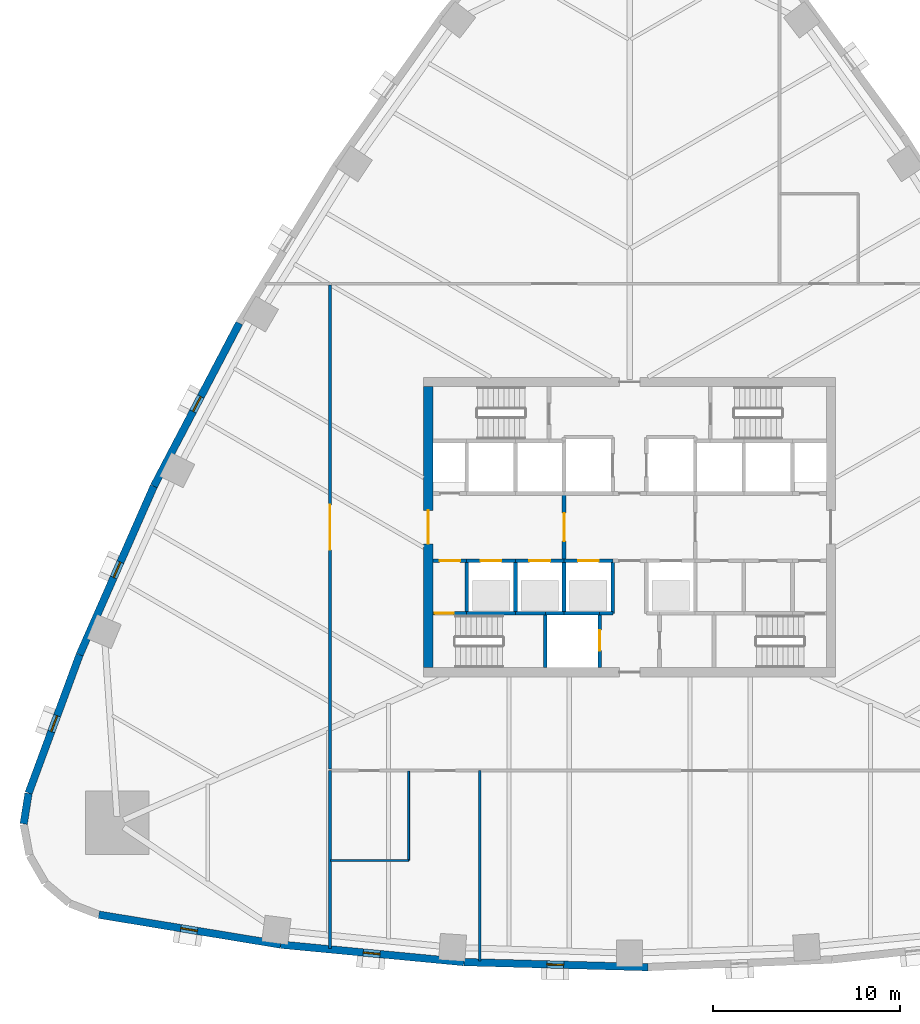
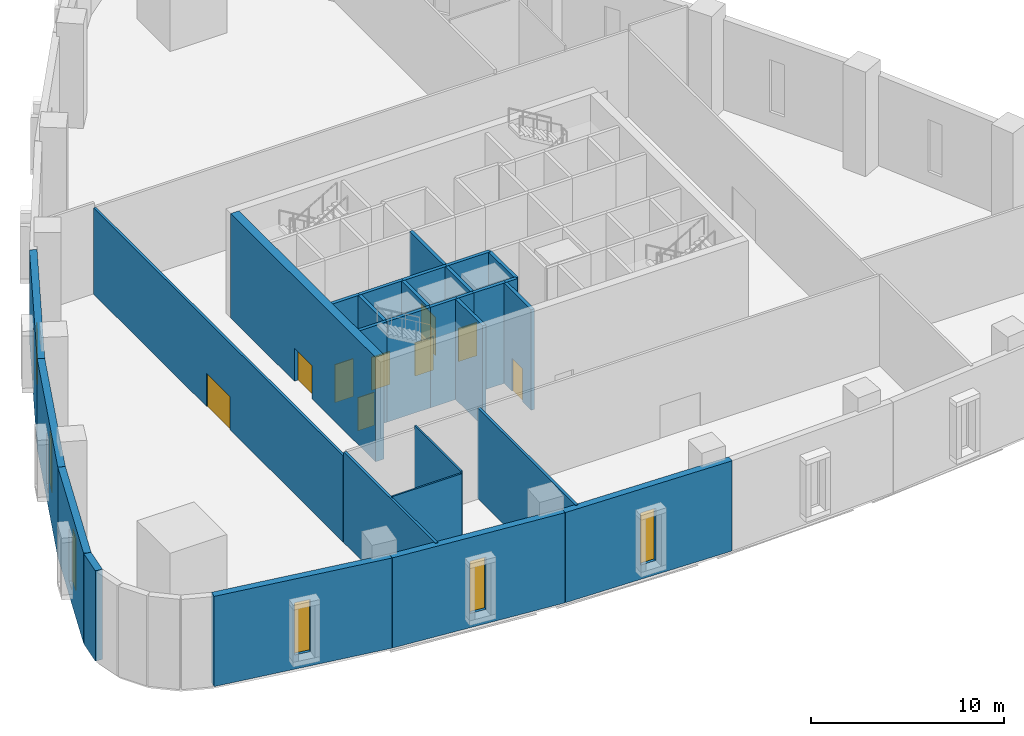
# One storey, part 3 of 11: 30 walls, 9 doors, 6 windows, 15 openings.
"""IFC4 building model written with IfcOpenShell, lengths in metres."""

from ifc_helpers import new_model, si_unit, direction, frame, frame_2d, origin, place, context, subcontext, project, spatial, rectangle, extrude, material, layer, layer_set, type_object, element, fill, save


model = new_model("IFC4")

# Units and contexts
model_context = context("Model", 3, precision=1e-05, world=origin(), true_north=direction((0.0, 1.0)))
body_context = subcontext(model_context, "Body", "Model", "MODEL_VIEW")
ifc_project = project(units=[si_unit("LENGTHUNIT", "METRE"), si_unit("AREAUNIT", "SQUARE_METRE"), si_unit("VOLUMEUNIT", "CUBIC_METRE"), si_unit("PLANEANGLEUNIT", "RADIAN"), si_unit("MASSUNIT", "GRAM", prefix="KILO")], contexts=[model_context])

# Site, building, storey
site_placement = place(None, origin())
site = spatial("IfcSite", under=ifc_project, at=site_placement, CompositionType="ELEMENT")
building_placement = place(site_placement, origin())
building = spatial("IfcBuilding", under=site, at=building_placement, Name="Sierra Prisma Convention Tower", CompositionType="ELEMENT")
storey_placement = place(building_placement, frame((0.0, 0.0, 22.199951171875)))
storey = spatial("IfcBuildingStorey", under=building, at=storey_placement, Name="L03", CompositionType="ELEMENT", Elevation=22.199951171875)

# Walls
ifc_material_1 = material(Name="Gypsum board partition", Category="gypsum")
ifc_layer_1 = layer(ifc_material_1, 0.10009765625)
ifc_layer_set_1 = layer_set([ifc_layer_1], Name="Bathroom partition 100")
wall_type_1 = type_object("IfcWallType", Name="Bathroom partition 100", PredefinedType="PARTITIONING", material=ifc_layer_set_1)
wall_1_placement = place(storey_placement, frame((-11.800048828125, -13.030029296875, 0.0), z_axis=(0.0, 0.0, 1.0), x_axis=(0.0, -1.0, 0.0)))
element("IfcWall", 1, at=wall_1_placement, inside=storey, type_object=wall_type_1, Name="Partition L03 bath 1", PredefinedType="PARTITIONING", context=body_context, shape_type="SweptSolid", body=[
    extrude(rectangle(XDim=4.77001953125, YDim=0.10009765625, at=frame_2d((2.385009765625, 0.0))), origin(), (0.0, 0.0, 1.0), 5.949951171875),
])
wall_2_placement = place(storey_placement, frame((-11.800048828125, -17.800048828125, 0.0), z_axis=(0.0, 0.0, 1.0), x_axis=(-1.0, 0.0, 0.0)))
element("IfcWall", 2, at=wall_2_placement, inside=storey, type_object=wall_type_1, Name="Partition L03 bath 2", PredefinedType="PARTITIONING", context=body_context, shape_type="SweptSolid", body=[
    extrude(rectangle(XDim=4.169921875, YDim=0.10009765625, at=frame_2d((2.0849609375, 0.0))), origin(), (0.0, 0.0, 1.0), 5.817138671875),
])

# Wall, opening, door
ifc_material_2 = material(Name="Concrete C30/37", Category="concrete")
ifc_layer_2 = layer(ifc_material_2, 0.199951171875)
ifc_layer_set_2 = layer_set([ifc_layer_2], Name="Core wall RC 200 C30/37")
wall_type_2 = type_object("IfcWallType", Name="Core wall RC 200 C30/37", PredefinedType="SOLIDWALL", material=ifc_layer_set_2)
wall_3_placement = place(storey_placement, frame((-10.5, -4.60009765625, 0.0), z_axis=(0.0, 0.0, 1.0), x_axis=(1.0, 0.0, 0.0)))
wall_3 = element("IfcWall", 3, at=wall_3_placement, inside=storey, type_object=wall_type_2, Name="Core wall L03 1", PredefinedType="SOLIDWALL", context=body_context, shape_type="SweptSolid", body=[
    extrude(rectangle(XDim=1.800048828125, YDim=0.199951171875, at=frame_2d((0.89990234375, 0.0))), origin(), (0.0, 0.0, 1.0), 6.35009765625),
])
opening_1_placement = place(wall_3_placement, frame((0.10009765625, 0.0, 0.0)))
opening_1 = element("IfcOpeningElement", 4, at=opening_1_placement, cuts=wall_3, Name="Opening L03-D016", PredefinedType="OPENING", context=body_context, shape_type="SweptSolid", body=[
    extrude(rectangle(XDim=1.0, YDim=2.10009765625, at=frame_2d((0.5, 1.050048828125))), frame((0.0, 0.10009765625, 0.0), z_axis=(0.0, -1.0, 0.0), x_axis=(1.0, 0.0, 0.0)), (0.0, 0.0, 1.0), 0.199951171875),
])
ifc_material_3 = material(Name="Steel fire door leaf", Category="steel")
door_type_1 = type_object("IfcDoorType", Name="Door 1000x2100 FD90S", OperationType="SINGLE_SWING_LEFT", PredefinedType="DOOR", material=ifc_material_3)
door_1_placement = place(opening_1_placement, origin())
door_1 = element("IfcDoor", 5, at=door_1_placement, inside=storey, type_object=door_type_1, Name="Door L03 25", OperationType="SINGLE_SWING_LEFT", OverallHeight=2.10009765625, OverallWidth=1.0, PredefinedType="DOOR", context=body_context, shape_type="SweptSolid", body=[
    extrude(rectangle(XDim=1.0, YDim=2.10009765625, at=frame_2d((0.5, 1.050048828125))), frame((0.0, 0.02490234375, 0.0), z_axis=(0.0, -1.0, 0.0), x_axis=(1.0, 0.0, 0.0)), (0.0, 0.0, 1.0), 0.050048828125),
])
fill(opening_1, door_1)

wall_4_placement = place(storey_placement, frame((-10.5, -1.800048828125, 0.0), z_axis=(0.0, 0.0, 1.0), x_axis=(1.0, 0.0, 0.0)))
wall_4 = element("IfcWall", 6, at=wall_4_placement, inside=storey, type_object=wall_type_2, Name="Core wall L03 2", PredefinedType="SOLIDWALL", context=body_context, shape_type="SweptSolid", body=[
    extrude(rectangle(XDim=1.800048828125, YDim=0.199951171875, at=frame_2d((0.89990234375, 0.0))), origin(), (0.0, 0.0, 1.0), 6.35009765625),
])
opening_2_placement = place(wall_4_placement, frame((0.35009765625, 0.0, 0.0)))
opening_2 = element("IfcOpeningElement", 7, at=opening_2_placement, cuts=wall_4, Name="Opening L03-D010", PredefinedType="OPENING", context=body_context, shape_type="SweptSolid", body=[
    extrude(rectangle(XDim=1.10009765625, YDim=2.39990234375, at=frame_2d((0.550048828125, 1.199951171875))), frame((0.0, 0.10009765625, 0.0), z_axis=(0.0, -1.0, 0.0), x_axis=(1.0, 0.0, 0.0)), (0.0, 0.0, 1.0), 0.199951171875),
])
ifc_material_4 = material(Name="Steel fire door leaf", Category="steel")
door_type_2 = type_object("IfcDoorType", Name="Door 1100x2400 FD90S", OperationType="SINGLE_SWING_LEFT", PredefinedType="DOOR", material=ifc_material_4)
door_2_placement = place(opening_2_placement, origin())
door_2 = element("IfcDoor", 8, at=door_2_placement, inside=storey, type_object=door_type_2, Name="Door L03 19", OperationType="SINGLE_SWING_RIGHT", OverallHeight=2.39990234375, OverallWidth=1.10009765625, PredefinedType="DOOR", context=body_context, shape_type="SweptSolid", body=[
    extrude(rectangle(XDim=1.10009765625, YDim=2.39990234375, at=frame_2d((0.550048828125, 1.199951171875))), frame((0.0, 0.02490234375, 0.0), z_axis=(0.0, -1.0, 0.0), x_axis=(1.0, 0.0, 0.0)), (0.0, 0.0, 1.0), 0.050048828125),
])
fill(opening_2, door_2)

# Walls
wall_5_placement = place(storey_placement, frame((-8.699951171875, -4.60009765625, 0.0), z_axis=(0.0, 0.0, 1.0), x_axis=(1.0, 0.0, 0.0)))
element("IfcWall", 9, at=wall_5_placement, inside=storey, type_object=wall_type_2, Name="Core wall L03 5", PredefinedType="SOLIDWALL", context=body_context, shape_type="SweptSolid", body=[
    extrude(rectangle(XDim=2.599853515625, YDim=0.199951171875, at=frame_2d((1.2998046875, 0.0))), origin(), (0.0, 0.0, 1.0), 6.35009765625),
])
wall_6_placement = place(storey_placement, frame((-8.699951171875, -4.60009765625, 0.0), z_axis=(0.0, 0.0, 1.0), x_axis=(0.0, 1.0, 0.0)))
element("IfcWall", 10, at=wall_6_placement, inside=storey, type_object=wall_type_2, Name="Core wall L03 6", PredefinedType="SOLIDWALL", context=body_context, shape_type="SweptSolid", body=[
    extrude(rectangle(XDim=2.800048828125, YDim=0.199951171875, at=frame_2d((1.39990234375, 0.0))), origin(), (0.0, 0.0, 1.0), 6.35009765625),
])

# Wall, opening, door
wall_7_placement = place(storey_placement, frame((-8.699951171875, -1.800048828125, 0.0), z_axis=(0.0, 0.0, 1.0), x_axis=(1.0, 0.0, 0.0)))
wall_7 = element("IfcWall", 11, at=wall_7_placement, inside=storey, type_object=wall_type_2, Name="Core wall L03 7", PredefinedType="SOLIDWALL", context=body_context, shape_type="SweptSolid", body=[
    extrude(rectangle(XDim=2.599853515625, YDim=0.199951171875, at=frame_2d((1.2998046875, 0.0))), origin(), (0.0, 0.0, 1.0), 6.35009765625),
])
opening_3_placement = place(wall_7_placement, frame((0.75, 0.0, 0.0)))
opening_3 = element("IfcOpeningElement", 12, at=opening_3_placement, cuts=wall_7, Name="Opening L03-D001", PredefinedType="OPENING", context=body_context, shape_type="SweptSolid", body=[
    extrude(rectangle(XDim=1.10009765625, YDim=2.10009765625, at=frame_2d((0.550048828125, 1.050048828125))), frame((0.0, 0.10009765625, 0.0), z_axis=(0.0, -1.0, 0.0), x_axis=(1.0, 0.0, 0.0)), (0.0, 0.0, 1.0), 0.199951171875),
])
ifc_material_5 = material(Name="Steel fire door leaf", Category="steel")
door_type_3 = type_object("IfcDoorType", Name="Door 1100x2100 EI 90 sliding lift landing", OperationType="SLIDING_TO_LEFT", PredefinedType="DOOR", material=ifc_material_5)
door_3_placement = place(opening_3_placement, origin())
door_3 = element("IfcDoor", 13, at=door_3_placement, inside=storey, type_object=door_type_3, Name="Door L03 10", OperationType="SLIDING_TO_RIGHT", OverallHeight=2.10009765625, OverallWidth=1.10009765625, PredefinedType="DOOR", context=body_context, shape_type="SweptSolid", body=[
    extrude(rectangle(XDim=1.10009765625, YDim=2.10009765625, at=frame_2d((0.550048828125, 1.050048828125))), frame((0.0, 0.02490234375, 0.0), z_axis=(0.0, -1.0, 0.0), x_axis=(1.0, 0.0, 0.0)), (0.0, 0.0, 1.0), 0.050048828125),
])
fill(opening_3, door_3)

# Walls
wall_8_placement = place(storey_placement, frame((-6.10009765625, -4.60009765625, 0.0), z_axis=(0.0, 0.0, 1.0), x_axis=(1.0, 0.0, 0.0)))
element("IfcWall", 14, at=wall_8_placement, inside=storey, type_object=wall_type_2, Name="Core wall L03 11", PredefinedType="SOLIDWALL", context=body_context, shape_type="SweptSolid", body=[
    extrude(rectangle(XDim=1.60009765625, YDim=0.199951171875, at=frame_2d((0.800048828125, 0.0))), origin(), (0.0, 0.0, 1.0), 6.35009765625),
])
wall_9_placement = place(storey_placement, frame((-6.10009765625, -4.60009765625, 0.0), z_axis=(0.0, 0.0, 1.0), x_axis=(0.0, 1.0, 0.0)))
element("IfcWall", 15, at=wall_9_placement, inside=storey, type_object=wall_type_2, Name="Core wall L03 12", PredefinedType="SOLIDWALL", context=body_context, shape_type="SweptSolid", body=[
    extrude(rectangle(XDim=2.800048828125, YDim=0.199951171875, at=frame_2d((1.39990234375, 0.0))), origin(), (0.0, 0.0, 1.0), 6.35009765625),
])

# Wall, opening, door
wall_10_placement = place(storey_placement, frame((-6.10009765625, -1.800048828125, 0.0), z_axis=(0.0, 0.0, 1.0), x_axis=(1.0, 0.0, 0.0)))
wall_10 = element("IfcWall", 16, at=wall_10_placement, inside=storey, type_object=wall_type_2, Name="Core wall L03 13", PredefinedType="SOLIDWALL", context=body_context, shape_type="SweptSolid", body=[
    extrude(rectangle(XDim=2.60009765625, YDim=0.199951171875, at=frame_2d((1.300048828125, 0.0))), origin(), (0.0, 0.0, 1.0), 6.35009765625),
])
opening_4_placement = place(wall_10_placement, frame((0.75, 0.0, 0.0)))
opening_4 = element("IfcOpeningElement", 17, at=opening_4_placement, cuts=wall_10, Name="Opening L03-D002", PredefinedType="OPENING", context=body_context, shape_type="SweptSolid", body=[
    extrude(rectangle(XDim=1.10009765625, YDim=2.10009765625, at=frame_2d((0.550048828125, 1.050048828125))), frame((0.0, 0.10009765625, 0.0), z_axis=(0.0, -1.0, 0.0), x_axis=(1.0, 0.0, 0.0)), (0.0, 0.0, 1.0), 0.199951171875),
])
door_4_placement = place(opening_4_placement, origin())
door_4 = element("IfcDoor", 18, at=door_4_placement, inside=storey, type_object=door_type_3, Name="Door L03 11", OperationType="SLIDING_TO_RIGHT", OverallHeight=2.10009765625, OverallWidth=1.10009765625, PredefinedType="DOOR", context=body_context, shape_type="SweptSolid", body=[
    extrude(rectangle(XDim=1.10009765625, YDim=2.10009765625, at=frame_2d((0.550048828125, 1.050048828125))), frame((0.0, 0.02490234375, 0.0), z_axis=(0.0, -1.0, 0.0), x_axis=(1.0, 0.0, 0.0)), (0.0, 0.0, 1.0), 0.050048828125),
])
fill(opening_4, door_4)

# Walls
wall_11_placement = place(storey_placement, frame((-4.5, -4.60009765625, 0.0), z_axis=(0.0, 0.0, 1.0), x_axis=(0.0, -1.0, 0.0)))
element("IfcWall", 19, at=wall_11_placement, inside=storey, type_object=wall_type_2, Name="Core wall L03 17", PredefinedType="SOLIDWALL", context=body_context, shape_type="SweptSolid", body=[
    extrude(rectangle(XDim=2.89990234375, YDim=0.199951171875, at=frame_2d((1.449951171875, 0.0))), origin(), (0.0, 0.0, 1.0), 6.35009765625),
])
wall_12_placement = place(storey_placement, frame((-4.5, -4.60009765625, 0.0), z_axis=(0.0, 0.0, 1.0), x_axis=(1.0, 0.0, 0.0)))
element("IfcWall", 20, at=wall_12_placement, inside=storey, type_object=wall_type_2, Name="Core wall L03 18", PredefinedType="SOLIDWALL", context=body_context, shape_type="SweptSolid", body=[
    extrude(rectangle(XDim=1.0, YDim=0.199951171875, at=frame_2d((0.5, 0.0))), origin(), (0.0, 0.0, 1.0), 6.35009765625),
])
wall_13_placement = place(storey_placement, frame((-3.5, -4.60009765625, 0.0), z_axis=(0.0, 0.0, 1.0), x_axis=(1.0, 0.0, 0.0)))
element("IfcWall", 21, at=wall_13_placement, inside=storey, type_object=wall_type_2, Name="Core wall L03 21", PredefinedType="SOLIDWALL", context=body_context, shape_type="SweptSolid", body=[
    extrude(rectangle(XDim=1.89990234375, YDim=0.199951171875, at=frame_2d((0.949951171875, 0.0))), origin(), (0.0, 0.0, 1.0), 6.35009765625),
])
wall_14_placement = place(storey_placement, frame((-3.5, -4.60009765625, 0.0), z_axis=(0.0, 0.0, 1.0), x_axis=(0.0, 1.0, 0.0)))
element("IfcWall", 22, at=wall_14_placement, inside=storey, type_object=wall_type_2, Name="Core wall L03 22", PredefinedType="SOLIDWALL", context=body_context, shape_type="SweptSolid", body=[
    extrude(rectangle(XDim=2.800048828125, YDim=0.199951171875, at=frame_2d((1.39990234375, 0.0))), origin(), (0.0, 0.0, 1.0), 6.35009765625),
])

# Wall, opening, door
wall_15_placement = place(storey_placement, frame((-3.5, -1.800048828125, 0.0), z_axis=(0.0, 0.0, 1.0), x_axis=(1.0, 0.0, 0.0)))
wall_15 = element("IfcWall", 23, at=wall_15_placement, inside=storey, type_object=wall_type_2, Name="Core wall L03 23", PredefinedType="SOLIDWALL", context=body_context, shape_type="SweptSolid", body=[
    extrude(rectangle(XDim=2.60009765625, YDim=0.199951171875, at=frame_2d((1.300048828125, 0.0))), origin(), (0.0, 0.0, 1.0), 6.35009765625),
])
opening_5_placement = place(wall_15_placement, frame((0.75, 0.0, 0.0)))
opening_5 = element("IfcOpeningElement", 24, at=opening_5_placement, cuts=wall_15, Name="Opening L03-D003", PredefinedType="OPENING", context=body_context, shape_type="SweptSolid", body=[
    extrude(rectangle(XDim=1.10009765625, YDim=2.10009765625, at=frame_2d((0.550048828125, 1.050048828125))), frame((0.0, 0.10009765625, 0.0), z_axis=(0.0, -1.0, 0.0), x_axis=(1.0, 0.0, 0.0)), (0.0, 0.0, 1.0), 0.199951171875),
])
door_5_placement = place(opening_5_placement, origin())
door_5 = element("IfcDoor", 25, at=door_5_placement, inside=storey, type_object=door_type_3, Name="Door L03 12", OperationType="SLIDING_TO_RIGHT", OverallHeight=2.10009765625, OverallWidth=1.10009765625, PredefinedType="DOOR", context=body_context, shape_type="SweptSolid", body=[
    extrude(rectangle(XDim=1.10009765625, YDim=2.10009765625, at=frame_2d((0.550048828125, 1.050048828125))), frame((0.0, 0.02490234375, 0.0), z_axis=(0.0, -1.0, 0.0), x_axis=(1.0, 0.0, 0.0)), (0.0, 0.0, 1.0), 0.050048828125),
])
fill(opening_5, door_5)

wall_16_placement = place(storey_placement, frame((-3.5, 1.800048828125, 0.0), z_axis=(0.0, 0.0, 1.0), x_axis=(0.0, -1.0, 0.0)))
wall_16 = element("IfcWall", 26, at=wall_16_placement, inside=storey, type_object=wall_type_2, Name="Core wall L03 24", PredefinedType="SOLIDWALL", context=body_context, shape_type="SweptSolid", body=[
    extrude(rectangle(XDim=3.60009765625, YDim=0.199951171875, at=frame_2d((1.800048828125, 0.0))), origin(), (0.0, 0.0, 1.0), 6.35009765625),
])
opening_6_placement = place(wall_16_placement, frame((1.050048828125, 0.0, 0.0)))
opening_6 = element("IfcOpeningElement", 27, at=opening_6_placement, cuts=wall_16, Name="Opening L03-D008", PredefinedType="OPENING", context=body_context, shape_type="SweptSolid", body=[
    extrude(rectangle(XDim=1.5, YDim=2.39990234375, at=frame_2d((0.75, 1.199951171875))), frame((0.0, 0.10009765625, 0.0), z_axis=(0.0, -1.0, 0.0), x_axis=(1.0, 0.0, 0.0)), (0.0, 0.0, 1.0), 0.199951171875),
])
ifc_material_6 = material(Name="Steel fire door leaf", Category="steel")
door_type_4 = type_object("IfcDoorType", Name="Door 1500x2400 FD30S", OperationType="DOUBLE_DOOR_SINGLE_SWING", PredefinedType="DOOR", material=ifc_material_6)
door_6_placement = place(opening_6_placement, origin())
door_6 = element("IfcDoor", 28, at=door_6_placement, inside=storey, type_object=door_type_4, Name="Door L03 17", OperationType="DOUBLE_DOOR_SINGLE_SWING", OverallHeight=2.39990234375, OverallWidth=1.5, PredefinedType="DOOR", context=body_context, shape_type="SweptSolid", body=[
    extrude(rectangle(XDim=1.5, YDim=2.39990234375, at=frame_2d((0.75, 1.199951171875))), frame((0.0, 0.02490234375, 0.0), z_axis=(0.0, -1.0, 0.0), x_axis=(1.0, 0.0, 0.0)), (0.0, 0.0, 1.0), 0.050048828125),
])
fill(opening_6, door_6)

wall_17_placement = place(storey_placement, frame((-1.60009765625, -7.5, 0.0), z_axis=(0.0, 0.0, 1.0), x_axis=(0.0, 1.0, 0.0)))
wall_17 = element("IfcWall", 29, at=wall_17_placement, inside=storey, type_object=wall_type_2, Name="Core wall L03 30", PredefinedType="SOLIDWALL", context=body_context, shape_type="SweptSolid", body=[
    extrude(rectangle(XDim=2.89990234375, YDim=0.199951171875, at=frame_2d((1.449951171875, 0.0))), origin(), (0.0, 0.0, 1.0), 6.35009765625),
])
opening_7_placement = place(wall_17_placement, frame((0.89990234375, 0.0, 0.0)))
opening_7 = element("IfcOpeningElement", 30, at=opening_7_placement, cuts=wall_17, Name="Opening L03-D007", PredefinedType="OPENING", context=body_context, shape_type="SweptSolid", body=[
    extrude(rectangle(XDim=1.10009765625, YDim=2.10009765625, at=frame_2d((0.550048828125, 1.050048828125))), frame((0.0, 0.10009765625, 0.0), z_axis=(0.0, -1.0, 0.0), x_axis=(1.0, 0.0, 0.0)), (0.0, 0.0, 1.0), 0.199951171875),
])
door_7_placement = place(opening_7_placement, origin())
door_7 = element("IfcDoor", 31, at=door_7_placement, inside=storey, type_object=door_type_3, Name="Door L03 16", OperationType="SLIDING_TO_RIGHT", OverallHeight=2.10009765625, OverallWidth=1.10009765625, PredefinedType="DOOR", context=body_context, shape_type="SweptSolid", body=[
    extrude(rectangle(XDim=1.10009765625, YDim=2.10009765625, at=frame_2d((0.550048828125, 1.050048828125))), frame((0.0, 0.02490234375, 0.0), z_axis=(0.0, -1.0, 0.0), x_axis=(1.0, 0.0, 0.0)), (0.0, 0.0, 1.0), 0.050048828125),
])
fill(opening_7, door_7)

# Walls
wall_18_placement = place(storey_placement, frame((-1.60009765625, -4.60009765625, 0.0), z_axis=(0.0, 0.0, 1.0), x_axis=(1.0, 0.0, 0.0)))
element("IfcWall", 32, at=wall_18_placement, inside=storey, type_object=wall_type_2, Name="Core wall L03 31", PredefinedType="SOLIDWALL", context=body_context, shape_type="SweptSolid", body=[
    extrude(rectangle(XDim=0.7001953125, YDim=0.199951171875, at=frame_2d((0.35009765625, 0.0))), origin(), (0.0, 0.0, 1.0), 6.35009765625),
])
wall_19_placement = place(storey_placement, frame((-0.89990234375, -4.60009765625, 0.0), z_axis=(0.0, 0.0, 1.0), x_axis=(0.0, 1.0, 0.0)))
element("IfcWall", 33, at=wall_19_placement, inside=storey, type_object=wall_type_2, Name="Core wall L03 32", PredefinedType="SOLIDWALL", context=body_context, shape_type="SweptSolid", body=[
    extrude(rectangle(XDim=2.800048828125, YDim=0.199951171875, at=frame_2d((1.39990234375, 0.0))), origin(), (0.0, 0.0, 1.0), 6.35009765625),
])

# Wall, opening, door
ifc_material_7 = material(Name="Concrete C70/85", Category="concrete")
ifc_layer_3 = layer(ifc_material_7, 0.5)
ifc_layer_set_3 = layer_set([ifc_layer_3], Name="Core wall RC 500 C70/85")
wall_type_3 = type_object("IfcWallType", Name="Core wall RC 500 C70/85", PredefinedType="SHEAR", material=ifc_layer_set_3)
wall_20_placement = place(storey_placement, frame((-10.75, -7.5, 0.0), z_axis=(0.0, 0.0, 1.0), x_axis=(0.0, 1.0, 0.0)))
wall_20 = element("IfcWall", 34, at=wall_20_placement, inside=storey, type_object=wall_type_3, Name="Core wall W L03", PredefinedType="SHEAR", context=body_context, shape_type="SweptSolid", body=[
    extrude(rectangle(XDim=15.0, YDim=0.5, at=frame_2d((7.5, 0.0))), origin(), (0.0, 0.0, 1.0), 6.60009765625),
])
opening_8_placement = place(wall_20_placement, frame((6.60009765625, 0.0, 0.0)))
opening_8 = element("IfcOpeningElement", 35, at=opening_8_placement, cuts=wall_20, Name="Opening L03-D035", PredefinedType="OPENING", context=body_context, shape_type="SweptSolid", body=[
    extrude(rectangle(XDim=1.800048828125, YDim=2.10009765625, at=frame_2d((0.89990234375, 1.050048828125))), frame((0.0, 0.25, 0.0), z_axis=(0.0, -1.0, 0.0), x_axis=(1.0, 0.0, 0.0)), (0.0, 0.0, 1.0), 0.5),
])
ifc_material_8 = material(Name="Steel fire door leaf", Category="steel")
door_type_5 = type_object("IfcDoorType", Name="Door 1800x2100 FD60S", OperationType="DOUBLE_DOOR_SINGLE_SWING", PredefinedType="DOOR", material=ifc_material_8)
door_8_placement = place(opening_8_placement, origin())
door_8 = element("IfcDoor", 36, at=door_8_placement, inside=storey, type_object=door_type_5, Name="Door L03 32", OperationType="DOUBLE_DOOR_SINGLE_SWING", OverallHeight=2.10009765625, OverallWidth=1.800048828125, PredefinedType="DOOR", context=body_context, shape_type="SweptSolid", body=[
    extrude(rectangle(XDim=1.800048828125, YDim=2.10009765625, at=frame_2d((0.89990234375, 1.050048828125))), frame((0.0, 0.02490234375, 0.0), z_axis=(0.0, -1.0, 0.0), x_axis=(1.0, 0.0, 0.0)), (0.0, 0.0, 1.0), 0.050048828125),
])
fill(opening_8, door_8)

ifc_material_9 = material(Name="Gypsum board partition", Category="gypsum")
ifc_layer_4 = layer(ifc_material_9, 0.14990234375)
ifc_layer_set_4 = layer_set([ifc_layer_4], Name="Corridor wall 150 gypsum EI 60")
wall_type_4 = type_object("IfcWallType", Name="Corridor wall 150 gypsum EI 60", PredefinedType="PARTITIONING", material=ifc_layer_set_4)
wall_21_placement = place(storey_placement, frame((-16.0, 12.919921875, 0.0), z_axis=(0.0, 0.0, 1.0), x_axis=(0.0, -1.0, 0.0)))
wall_21 = element("IfcWall", 37, at=wall_21_placement, inside=storey, type_object=wall_type_4, Name="Partition L03 corr 1", PredefinedType="PARTITIONING", context=body_context, shape_type="SweptSolid", body=[
    extrude(rectangle(XDim=25.83984375, YDim=0.14990234375, at=frame_2d((12.919921875, 0.0))), origin(), (0.0, 0.0, 1.0), 5.447021484375),
])
opening_9_placement = place(wall_21_placement, frame((11.72998046875, 0.0, 0.0)))
opening_9 = element("IfcOpeningElement", 38, at=opening_9_placement, cuts=wall_21, Name="Opening L03-D026", PredefinedType="OPENING", context=body_context, shape_type="SweptSolid", body=[
    extrude(rectangle(XDim=2.39990234375, YDim=2.10009765625, at=frame_2d((1.199951171875, 1.050048828125))), frame((0.0, 0.074951171875, 0.0), z_axis=(0.0, -1.0, 0.0), x_axis=(1.0, 0.0, 0.0)), (0.0, 0.0, 1.0), 0.14990234375),
])
ifc_material_10 = material(Name="Steel fire door leaf", Category="steel")
door_type_6 = type_object("IfcDoorType", Name="Door 2400x2100 FD30S", OperationType="DOUBLE_DOOR_SINGLE_SWING", PredefinedType="DOOR", material=ifc_material_10)
door_9_placement = place(opening_9_placement, origin())
door_9 = element("IfcDoor", 39, at=door_9_placement, inside=storey, type_object=door_type_6, Name="Door L03 4", OperationType="DOUBLE_DOOR_SINGLE_SWING", OverallHeight=2.10009765625, OverallWidth=2.39990234375, PredefinedType="DOOR", context=body_context, shape_type="SweptSolid", body=[
    extrude(rectangle(XDim=2.39990234375, YDim=2.10009765625, at=frame_2d((1.199951171875, 1.050048828125))), frame((0.0, 0.02490234375, 0.0), z_axis=(0.0, -1.0, 0.0), x_axis=(1.0, 0.0, 0.0)), (0.0, 0.0, 1.0), 0.050048828125),
])
fill(opening_9, door_9)

# Walls
ifc_material_11 = material(Name="Gypsum board partition", Category="gypsum")
ifc_layer_5 = layer(ifc_material_11, 0.14990234375)
ifc_layer_set_5 = layer_set([ifc_layer_5], Name="Party wall 150 gypsum")
wall_type_5 = type_object("IfcWallType", Name="Party wall 150 gypsum", PredefinedType="PARTITIONING", material=ifc_layer_set_5)
wall_22_placement = place(storey_placement, frame((-16.0, -13.0, 0.0), z_axis=(0.0, 0.0, 1.0), x_axis=(0.0, -1.0, 0.0)))
element("IfcWall", 40, at=wall_22_placement, inside=storey, type_object=wall_type_5, Name="Partition L03 party 2", PredefinedType="PARTITIONING", context=body_context, shape_type="SweptSolid", body=[
    extrude(rectangle(XDim=9.48828125, YDim=0.14990234375, at=frame_2d((4.744140625, 0.0))), origin(), (0.0, 0.0, 1.0), 5.734130859375),
])
wall_23_placement = place(storey_placement, frame((-8.0, -13.0, 0.0), z_axis=(0.0, 0.0, 1.0), x_axis=(0.0, -1.0, 0.0)))
element("IfcWall", 41, at=wall_23_placement, inside=storey, type_object=wall_type_5, Name="Partition L03 party 3", PredefinedType="PARTITIONING", context=body_context, shape_type="SweptSolid", body=[
    extrude(rectangle(XDim=10.155029296875, YDim=0.14990234375, at=frame_2d((5.07763671875, 0.0))), origin(), (0.0, 0.0, 1.0), 5.734130859375),
])

# Wall, opening, window
ifc_material_12 = material(Name="Concrete C40/50, terracotta plaster finish", Category="masonry")
ifc_layer_6 = layer(ifc_material_12, 0.39990234375)
ifc_layer_set_6 = layer_set([ifc_layer_6], Name="Podium plastered wall 400")
wall_type_6 = type_object("IfcWallType", Name="Podium plastered wall 400", PredefinedType="STANDARD", material=ifc_layer_set_6)
wall_24_placement = place(storey_placement, frame((-25.403564453125, 2.191162109375, 0.0), z_axis=(0.0, 0.0, 1.0), x_axis=(0.464246519602, 0.885706028566, 0.0)))
wall_24 = element("IfcWall", 42, at=wall_24_placement, inside=storey, type_object=wall_type_6, Name="Podium wall L03 19", PredefinedType="STANDARD", context=body_context, shape_type="SweptSolid", body=[
    extrude(rectangle(XDim=9.82568359375, YDim=0.39990234375, at=frame_2d((4.912841796875, 0.0))), origin(), (0.0, 0.0, 1.0), 5.699951171875),
])
opening_10_placement = place(wall_24_placement, frame((4.5, 0.0, 0.89990234375)))
opening_10 = element("IfcOpeningElement", 43, at=opening_10_placement, cuts=wall_24, Name="Opening L03-W10", PredefinedType="OPENING", context=body_context, shape_type="SweptSolid", body=[
    extrude(rectangle(XDim=0.89990234375, YDim=3.300048828125, at=frame_2d((0.449951171875, 1.64990234375))), frame((0.0, 0.199951171875, 0.0), z_axis=(0.0, -1.0, 0.0), x_axis=(1.0, 0.0, 0.0)), (0.0, 0.0, 1.0), 0.39990234375),
])
ifc_material_13 = material(Name="Tinted glass, bronze aluminium frame", Category="aluminium")
window_type = type_object("IfcWindowType", Name="Podium tall slot window 900 x 3300", PartitioningType="SINGLE_PANEL", PredefinedType="WINDOW", material=ifc_material_13)
window_1_placement = place(opening_10_placement, origin())
window_1 = element("IfcWindow", 44, at=window_1_placement, inside=storey, type_object=window_type, Name="Tall slot window", OverallHeight=3.300048828125, OverallWidth=0.89990234375, PartitioningType="SINGLE_PANEL", PredefinedType="WINDOW", context=body_context, shape_type="SweptSolid", body=[
    extrude(rectangle(XDim=0.89990234375, YDim=3.300048828125, at=frame_2d((0.449951171875, 1.64990234375))), frame((0.0, 0.030029296875, 0.0), z_axis=(0.0, -1.0, 0.0), x_axis=(1.0, 0.0, 0.0)), (0.0, 0.0, 1.0), 0.06005859375),
])
fill(opening_10, window_1)

wall_25_placement = place(storey_placement, frame((-29.3662109375, -6.8076171875, 0.0), z_axis=(0.0, 0.0, 1.0), x_axis=(0.40298923147, 0.915204719895, 0.0)))
wall_25 = element("IfcWall", 45, at=wall_25_placement, inside=storey, type_object=wall_type_6, Name="Podium wall L03 20", PredefinedType="STANDARD", context=body_context, shape_type="SweptSolid", body=[
    extrude(rectangle(XDim=9.825927734375, YDim=0.39990234375, at=frame_2d((4.9130859375, 0.0))), origin(), (0.0, 0.0, 1.0), 5.699951171875),
])
opening_11_placement = place(wall_25_placement, frame((4.5, 0.0, 0.89990234375)))
opening_11 = element("IfcOpeningElement", 46, at=opening_11_placement, cuts=wall_25, Name="Opening L03-W11", PredefinedType="OPENING", context=body_context, shape_type="SweptSolid", body=[
    extrude(rectangle(XDim=0.89990234375, YDim=3.300048828125, at=frame_2d((0.449951171875, 1.64990234375))), frame((0.0, 0.199951171875, 0.0), z_axis=(0.0, -1.0, 0.0), x_axis=(1.0, 0.0, 0.0)), (0.0, 0.0, 1.0), 0.39990234375),
])
window_2_placement = place(opening_11_placement, origin())
window_2 = element("IfcWindow", 47, at=window_2_placement, inside=storey, type_object=window_type, Name="Tall slot window", OverallHeight=3.300048828125, OverallWidth=0.89990234375, PartitioningType="SINGLE_PANEL", PredefinedType="WINDOW", context=body_context, shape_type="SweptSolid", body=[
    extrude(rectangle(XDim=0.89990234375, YDim=3.300048828125, at=frame_2d((0.449951171875, 1.64990234375))), frame((0.0, 0.030029296875, 0.0), z_axis=(0.0, -1.0, 0.0), x_axis=(1.0, 0.0, 0.0)), (0.0, 0.0, 1.0), 0.06005859375),
])
fill(opening_11, window_2)

wall_26_placement = place(storey_placement, frame((-32.09423828125, -14.199462890625, 0.0), z_axis=(0.0, 0.0, 1.0), x_axis=(0.346208249512, 0.938157688222, 0.0)))
wall_26 = element("IfcWall", 48, at=wall_26_placement, inside=storey, type_object=wall_type_6, Name="Podium wall L03 21", PredefinedType="STANDARD", context=body_context, shape_type="SweptSolid", body=[
    extrude(rectangle(XDim=7.873291015625, YDim=0.39990234375, at=frame_2d((3.9365234375, 0.0))), origin(), (0.0, 0.0, 1.0), 5.699951171875),
])
opening_12_placement = place(wall_26_placement, frame((3.5, 0.0, 0.89990234375)))
opening_12 = element("IfcOpeningElement", 49, at=opening_12_placement, cuts=wall_26, Name="Opening L03-W12", PredefinedType="OPENING", context=body_context, shape_type="SweptSolid", body=[
    extrude(rectangle(XDim=0.89990234375, YDim=3.300048828125, at=frame_2d((0.449951171875, 1.64990234375))), frame((0.0, 0.199951171875, 0.0), z_axis=(0.0, -1.0, 0.0), x_axis=(1.0, 0.0, 0.0)), (0.0, 0.0, 1.0), 0.39990234375),
])
window_3_placement = place(opening_12_placement, origin())
window_3 = element("IfcWindow", 50, at=window_3_placement, inside=storey, type_object=window_type, Name="Tall slot window", OverallHeight=3.300048828125, OverallWidth=0.89990234375, PartitioningType="SINGLE_PANEL", PredefinedType="WINDOW", context=body_context, shape_type="SweptSolid", body=[
    extrude(rectangle(XDim=0.89990234375, YDim=3.300048828125, at=frame_2d((0.449951171875, 1.64990234375))), frame((0.0, 0.030029296875, 0.0), z_axis=(0.0, -1.0, 0.0), x_axis=(1.0, 0.0, 0.0)), (0.0, 0.0, 1.0), 0.06005859375),
])
fill(opening_12, window_3)

# Wall
wall_27_placement = place(storey_placement, frame((-32.355712890625, -15.8447265625, 0.0), z_axis=(0.0, 0.0, 1.0), x_axis=(0.155711266073, 0.98780261268, 0.0)))
element("IfcWall", 51, at=wall_27_placement, inside=storey, type_object=wall_type_6, Name="Podium wall L03 22", PredefinedType="STANDARD", context=body_context, shape_type="SweptSolid", body=[
    extrude(rectangle(XDim=1.646240234375, YDim=0.39990234375, at=frame_2d((0.8232421875, 0.0))), origin(), (0.0, 0.0, 1.0), 5.699951171875),
])

# Wall, opening, window
wall_28_placement = place(storey_placement, frame((-18.63671875, -22.2939453125, 0.0), z_axis=(0.0, 0.0, 1.0), x_axis=(-0.986700059484, 0.162551507574, 0.0)))
wall_28 = element("IfcWall", 52, at=wall_28_placement, inside=storey, type_object=wall_type_6, Name="Podium wall L03 27", PredefinedType="STANDARD", context=body_context, shape_type="SweptSolid", body=[
    extrude(rectangle(XDim=9.837646484375, YDim=0.39990234375, at=frame_2d((4.9189453125, 0.0))), origin(), (0.0, 0.0, 1.0), 5.699951171875),
])
opening_13_placement = place(wall_28_placement, frame((4.5, 0.0, 0.89990234375)))
opening_13 = element("IfcOpeningElement", 53, at=opening_13_placement, cuts=wall_28, Name="Opening L03-W13", PredefinedType="OPENING", context=body_context, shape_type="SweptSolid", body=[
    extrude(rectangle(XDim=0.89990234375, YDim=3.300048828125, at=frame_2d((0.449951171875, 1.64990234375))), frame((0.0, 0.199951171875, 0.0), z_axis=(0.0, -1.0, 0.0), x_axis=(1.0, 0.0, 0.0)), (0.0, 0.0, 1.0), 0.39990234375),
])
window_4_placement = place(opening_13_placement, origin())
window_4 = element("IfcWindow", 54, at=window_4_placement, inside=storey, type_object=window_type, Name="Tall slot window", OverallHeight=3.300048828125, OverallWidth=0.89990234375, PartitioningType="SINGLE_PANEL", PredefinedType="WINDOW", context=body_context, shape_type="SweptSolid", body=[
    extrude(rectangle(XDim=0.89990234375, YDim=3.300048828125, at=frame_2d((0.449951171875, 1.64990234375))), frame((0.0, 0.030029296875, 0.0), z_axis=(0.0, -1.0, 0.0), x_axis=(1.0, 0.0, 0.0)), (0.0, 0.0, 1.0), 0.06005859375),
])
fill(opening_13, window_4)

wall_29_placement = place(storey_placement, frame((-8.8486328125, -23.22900390625, 0.0), z_axis=(0.0, 0.0, 1.0), x_axis=(-0.995471095278, 0.095064706733, 0.0)))
wall_29 = element("IfcWall", 55, at=wall_29_placement, inside=storey, type_object=wall_type_6, Name="Podium wall L03 28", PredefinedType="STANDARD", context=body_context, shape_type="SweptSolid", body=[
    extrude(rectangle(XDim=9.82568359375, YDim=0.39990234375, at=frame_2d((4.912841796875, 0.0))), origin(), (0.0, 0.0, 1.0), 5.699951171875),
])
opening_14_placement = place(wall_29_placement, frame((4.5, 0.0, 0.89990234375)))
opening_14 = element("IfcOpeningElement", 56, at=opening_14_placement, cuts=wall_29, Name="Opening L03-W14", PredefinedType="OPENING", context=body_context, shape_type="SweptSolid", body=[
    extrude(rectangle(XDim=0.89990234375, YDim=3.300048828125, at=frame_2d((0.449951171875, 1.64990234375))), frame((0.0, 0.199951171875, 0.0), z_axis=(0.0, -1.0, 0.0), x_axis=(1.0, 0.0, 0.0)), (0.0, 0.0, 1.0), 0.39990234375),
])
window_5_placement = place(opening_14_placement, origin())
window_5 = element("IfcWindow", 57, at=window_5_placement, inside=storey, type_object=window_type, Name="Tall slot window", OverallHeight=3.300048828125, OverallWidth=0.89990234375, PartitioningType="SINGLE_PANEL", PredefinedType="WINDOW", context=body_context, shape_type="SweptSolid", body=[
    extrude(rectangle(XDim=0.89990234375, YDim=3.300048828125, at=frame_2d((0.449951171875, 1.64990234375))), frame((0.0, 0.030029296875, 0.0), z_axis=(0.0, -1.0, 0.0), x_axis=(1.0, 0.0, 0.0)), (0.0, 0.0, 1.0), 0.06005859375),
])
fill(opening_14, window_5)

wall_30_placement = place(storey_placement, frame((0.97998046875, -23.49658203125, 0.0), z_axis=(0.0, 0.0, 1.0), x_axis=(-0.999629782494, 0.027208416899, 0.0)))
wall_30 = element("IfcWall", 58, at=wall_30_placement, inside=storey, type_object=wall_type_6, Name="Podium wall L03 29", PredefinedType="STANDARD", context=body_context, shape_type="SweptSolid", body=[
    extrude(rectangle(XDim=9.825439453125, YDim=0.39990234375, at=frame_2d((4.91259765625, 0.0))), origin(), (0.0, 0.0, 1.0), 5.699951171875),
])
opening_15_placement = place(wall_30_placement, frame((4.5, 0.0, 0.89990234375)))
opening_15 = element("IfcOpeningElement", 59, at=opening_15_placement, cuts=wall_30, Name="Opening L03-W15", PredefinedType="OPENING", context=body_context, shape_type="SweptSolid", body=[
    extrude(rectangle(XDim=0.89990234375, YDim=3.300048828125, at=frame_2d((0.449951171875, 1.64990234375))), frame((0.0, 0.199951171875, 0.0), z_axis=(0.0, -1.0, 0.0), x_axis=(1.0, 0.0, 0.0)), (0.0, 0.0, 1.0), 0.39990234375),
])
window_6_placement = place(opening_15_placement, origin())
window_6 = element("IfcWindow", 60, at=window_6_placement, inside=storey, type_object=window_type, Name="Tall slot window", OverallHeight=3.300048828125, OverallWidth=0.89990234375, PartitioningType="SINGLE_PANEL", PredefinedType="WINDOW", context=body_context, shape_type="SweptSolid", body=[
    extrude(rectangle(XDim=0.89990234375, YDim=3.300048828125, at=frame_2d((0.449951171875, 1.64990234375))), frame((0.0, 0.030029296875, 0.0), z_axis=(0.0, -1.0, 0.0), x_axis=(1.0, 0.0, 0.0)), (0.0, 0.0, 1.0), 0.06005859375),
])
fill(opening_15, window_6)

save(model, "model.ifc")
